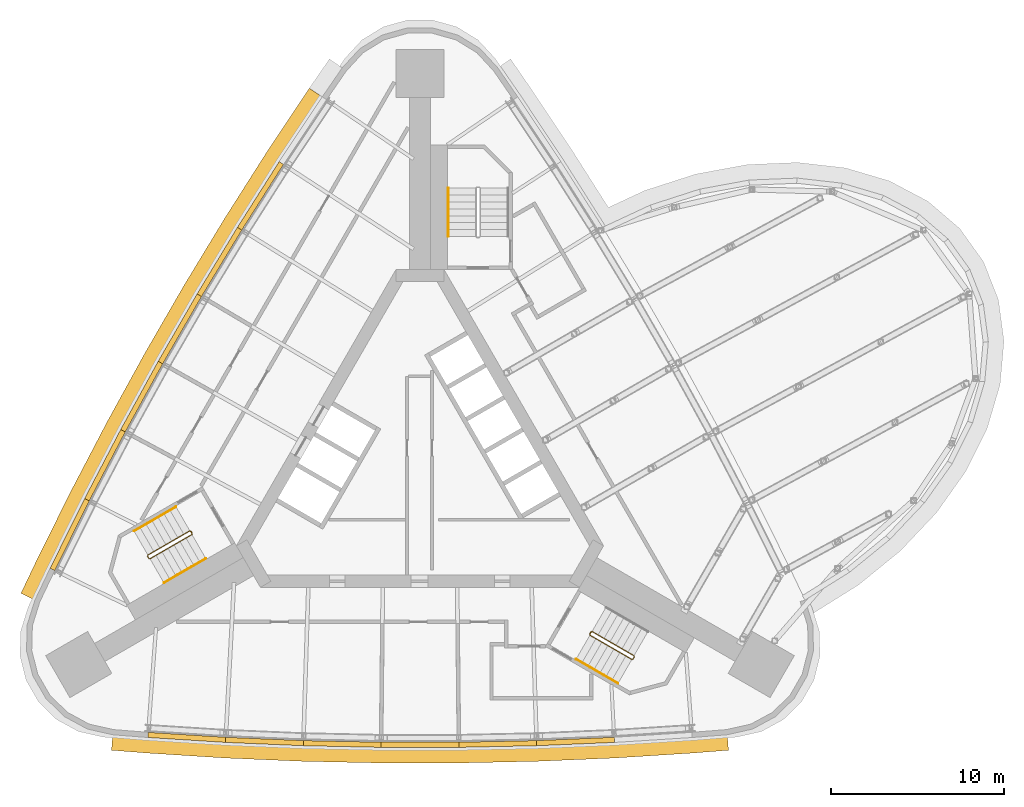
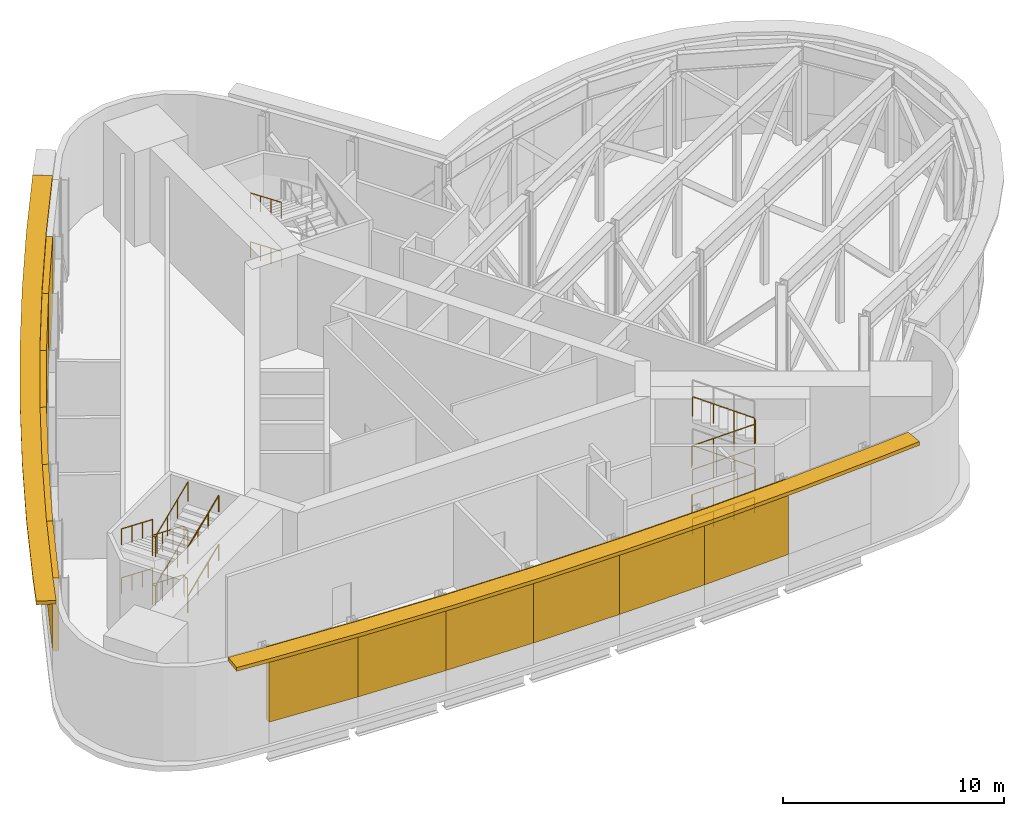
# One storey, part 10 of 11: 14 shading devices, 10 railings.
"""IFC4 building model written with IfcOpenShell, lengths in metres."""

from ifc_helpers import new_model, si_unit, direction, frame, origin, origin_2d, place, context, subcontext, project, spatial, polyline, circle, outline, extrude, material, type_object, element, save


model = new_model("IFC4")

# Units and contexts
model_context = context("Model", 3, precision=1e-05, world=origin(), true_north=direction((0.0, 1.0)))
body_context = subcontext(model_context, "Body", "Model", "MODEL_VIEW")
ifc_project = project(units=[si_unit("LENGTHUNIT", "METRE"), si_unit("AREAUNIT", "SQUARE_METRE"), si_unit("VOLUMEUNIT", "CUBIC_METRE"), si_unit("PLANEANGLEUNIT", "RADIAN"), si_unit("MASSUNIT", "GRAM", prefix="KILO")], contexts=[model_context])

# Site, building, storey
site_placement = place(None, origin())
site = spatial("IfcSite", under=ifc_project, at=site_placement, CompositionType="ELEMENT")
building_placement = place(site_placement, origin())
building = spatial("IfcBuilding", under=site, at=building_placement, Name="Noor Cloister Tower", CompositionType="ELEMENT")
storey_placement = place(building_placement, frame((0.0, 0.0, 168.89990234375)))
storey = spatial("IfcBuildingStorey", under=building, at=storey_placement, Name="L43", CompositionType="ELEMENT", Elevation=168.89990234375)

# Shading devices
ifc_material_1 = material(Name="Aluminium 6063-T6 anodised", Category="aluminium")
shading_device_type_1 = type_object("IfcShadingDeviceType", Name="LOUVRE plant air 40 percent free", PredefinedType="USERDEFINED", material=ifc_material_1)
shading_device_1_placement = place(storey_placement, frame((0.0, 0.0, 1.2001953125)))
element("IfcShadingDevice", 1, at=shading_device_1_placement, inside=storey, type_object=shading_device_type_1, Name="LOUVRE L43 1.2", ObjectType="LOUVRE", PredefinedType="USERDEFINED", context=body_context, shape_type="SweptSolid", body=[
    extrude(outline(polyline([(-8.145263671875, 17.68701171875), (-10.55810546875, 13.888671875), (-10.304931640625, 13.727783203125), (-7.891845703125, 17.526123046875), (-8.145263671875, 17.68701171875)])), origin(), (0.0, 0.0, 1.0), 4.0),
])
shading_device_2_placement = place(storey_placement, frame((0.0, 0.0, 1.2001953125)))
element("IfcShadingDevice", 2, at=shading_device_2_placement, inside=storey, type_object=shading_device_type_1, Name="LOUVRE L43 1.3", ObjectType="LOUVRE", PredefinedType="USERDEFINED", context=body_context, shape_type="SweptSolid", body=[
    extrude(outline(polyline([(-10.55810546875, 13.888671875), (-12.89013671875, 10.0400390625), (-12.633544921875, 9.884765625), (-10.301513671875, 13.733154296875), (-10.55810546875, 13.888671875)])), origin(), (0.0, 0.0, 1.0), 4.0),
])
shading_device_3_placement = place(storey_placement, frame((0.0, 0.0, 1.2001953125)))
element("IfcShadingDevice", 3, at=shading_device_3_placement, inside=storey, type_object=shading_device_type_1, Name="LOUVRE L43 1.4", ObjectType="LOUVRE", PredefinedType="USERDEFINED", context=body_context, shape_type="SweptSolid", body=[
    extrude(outline(polyline([(-12.89013671875, 10.0400390625), (-15.14013671875, 6.14306640625), (-14.88037109375, 5.9931640625), (-12.63037109375, 9.89013671875), (-12.89013671875, 10.0400390625)])), origin(), (0.0, 0.0, 1.0), 4.0),
])
shading_device_4_placement = place(storey_placement, frame((0.0, 0.0, 1.2001953125)))
element("IfcShadingDevice", 4, at=shading_device_4_placement, inside=storey, type_object=shading_device_type_1, Name="LOUVRE L43 1.5", ObjectType="LOUVRE", PredefinedType="USERDEFINED", context=body_context, shape_type="SweptSolid", body=[
    extrude(outline(polyline([(-15.14013671875, 6.14306640625), (-17.30712890625, 2.19921875), (-17.044189453125, 2.054931640625), (-14.877197265625, 5.99853515625), (-15.14013671875, 6.14306640625)])), origin(), (0.0, 0.0, 1.0), 4.0),
])
shading_device_5_placement = place(storey_placement, frame((0.0, 0.0, 1.2001953125)))
element("IfcShadingDevice", 5, at=shading_device_5_placement, inside=storey, type_object=shading_device_type_1, Name="LOUVRE L43 1.6", ObjectType="LOUVRE", PredefinedType="USERDEFINED", context=body_context, shape_type="SweptSolid", body=[
    extrude(outline(polyline([(-17.30712890625, 2.19921875), (-19.389892578125, -1.78955078125), (-19.1240234375, -1.928466796875), (-17.041015625, 2.060546875), (-17.30712890625, 2.19921875)])), origin(), (0.0, 0.0, 1.0), 4.0),
])
shading_device_6_placement = place(storey_placement, frame((0.0, 0.0, 1.2001953125)))
element("IfcShadingDevice", 6, at=shading_device_6_placement, inside=storey, type_object=shading_device_type_1, Name="LOUVRE L43 1.7", ObjectType="LOUVRE", PredefinedType="USERDEFINED", context=body_context, shape_type="SweptSolid", body=[
    extrude(outline(polyline([(-19.389892578125, -1.78955078125), (-21.387939453125, -5.821533203125), (-21.119140625, -5.954833984375), (-19.12109375, -1.9228515625), (-19.389892578125, -1.78955078125)])), origin(), (0.0, 0.0, 1.0), 4.0),
])
shading_device_7_placement = place(storey_placement, frame((0.0, 0.0, 1.2001953125)))
element("IfcShadingDevice", 7, at=shading_device_7_placement, inside=storey, type_object=shading_device_type_1, Name="LOUVRE L43 2.1", ObjectType="LOUVRE", PredefinedType="USERDEFINED", context=body_context, shape_type="SweptSolid", body=[
    extrude(outline(polyline([(-15.735595703125, -15.611572265625), (-11.24462890625, -15.8974609375), (-11.2255859375, -15.597900390625), (-15.716552734375, -15.312255859375), (-15.735595703125, -15.611572265625)])), origin(), (0.0, 0.0, 1.0), 4.0),
])
shading_device_8_placement = place(storey_placement, frame((0.0, 0.0, 1.2001953125)))
element("IfcShadingDevice", 8, at=shading_device_8_placement, inside=storey, type_object=shading_device_type_1, Name="LOUVRE L43 2.2", ObjectType="LOUVRE", PredefinedType="USERDEFINED", context=body_context, shape_type="SweptSolid", body=[
    extrude(outline(polyline([(-11.24462890625, -15.8974609375), (-6.748779296875, -16.087890625), (-6.736083984375, -15.788330078125), (-11.23193359375, -15.59765625), (-11.24462890625, -15.8974609375)])), origin(), (0.0, 0.0, 1.0), 4.0),
])
shading_device_9_placement = place(storey_placement, frame((0.0, 0.0, 1.2001953125)))
element("IfcShadingDevice", 9, at=shading_device_9_placement, inside=storey, type_object=shading_device_type_1, Name="LOUVRE L43 2.3", ObjectType="LOUVRE", PredefinedType="USERDEFINED", context=body_context, shape_type="SweptSolid", body=[
    extrude(outline(polyline([(-6.748779296875, -16.087890625), (-2.25, -16.183349609375), (-2.24365234375, -15.88330078125), (-6.742431640625, -15.7880859375), (-6.748779296875, -16.087890625)])), origin(), (0.0, 0.0, 1.0), 4.0),
])
shading_device_10_placement = place(storey_placement, frame((0.0, 0.0, 1.2001953125)))
element("IfcShadingDevice", 10, at=shading_device_10_placement, inside=storey, type_object=shading_device_type_1, Name="LOUVRE L43 2.4", ObjectType="LOUVRE", PredefinedType="USERDEFINED", context=body_context, shape_type="SweptSolid", body=[
    extrude(outline(polyline([(-2.25, -16.183349609375), (2.25, -16.183349609375), (2.25, -15.88330078125), (-2.25, -15.88330078125), (-2.25, -16.183349609375)])), origin(), (0.0, 0.0, 1.0), 4.0),
])
shading_device_11_placement = place(storey_placement, frame((0.0, 0.0, 1.2001953125)))
element("IfcShadingDevice", 11, at=shading_device_11_placement, inside=storey, type_object=shading_device_type_1, Name="LOUVRE L43 2.5", ObjectType="LOUVRE", PredefinedType="USERDEFINED", context=body_context, shape_type="SweptSolid", body=[
    extrude(outline(polyline([(2.25, -16.183349609375), (6.748779296875, -16.087890625), (6.742431640625, -15.7880859375), (2.24365234375, -15.88330078125), (2.25, -16.183349609375)])), origin(), (0.0, 0.0, 1.0), 4.0),
])
shading_device_12_placement = place(storey_placement, frame((0.0, 0.0, 1.2001953125)))
element("IfcShadingDevice", 12, at=shading_device_12_placement, inside=storey, type_object=shading_device_type_1, Name="LOUVRE L43 2.6", ObjectType="LOUVRE", PredefinedType="USERDEFINED", context=body_context, shape_type="SweptSolid", body=[
    extrude(outline(polyline([(6.748779296875, -16.087890625), (11.24462890625, -15.8974609375), (11.23193359375, -15.59765625), (6.736083984375, -15.788330078125), (6.748779296875, -16.087890625)])), origin(), (0.0, 0.0, 1.0), 4.0),
])
ifc_material_2 = material(Name="Limestone", Category="masonry")
shading_device_type_2 = type_object("IfcShadingDeviceType", Name="SUNSHADE limestone band 900", PredefinedType="USERDEFINED", material=ifc_material_2)
shading_device_13_placement = place(storey_placement, frame((0.0, 0.0, 5.2001953125)))
element("IfcShadingDevice", 13, at=shading_device_13_placement, inside=storey, type_object=shading_device_type_2, Name="SUNSHADE L43 1", ObjectType="SUNSHADE", PredefinedType="USERDEFINED", context=body_context, shape_type="SweptSolid", body=[
    extrude(outline(polyline([(-6.401611328125, 21.931884765625), (-8.899658203125, 18.177490234375), (-11.322998046875, 14.36328125), (-13.664794921875, 10.498291015625), (-15.92431640625, 6.5849609375), (-18.100341796875, 2.624267578125), (-20.192138671875, -1.38134765625), (-22.197265625, -5.42822265625), (-23.077392578125, -7.275146484375), (-22.264892578125, -7.662353515625), (-21.387939453125, -5.821533203125), (-19.389892578125, -1.78955078125), (-17.30712890625, 2.19921875), (-15.14013671875, 6.14306640625), (-12.89013671875, 10.0400390625), (-10.55810546875, 13.888671875), (-8.145263671875, 17.68701171875), (-5.65234375, 21.43310546875), (-6.401611328125, 21.931884765625)])), origin(), (0.0, 0.0, 1.0), 0.199951171875),
])
shading_device_14_placement = place(storey_placement, frame((0.0, 0.0, 5.2001953125)))
element("IfcShadingDevice", 14, at=shading_device_14_placement, inside=storey, type_object=shading_device_type_2, Name="SUNSHADE L43 2", ObjectType="SUNSHADE", PredefinedType="USERDEFINED", context=body_context, shape_type="SweptSolid", body=[
    extrude(outline(polyline([(-17.839111328125, -16.34814453125), (-15.799560546875, -16.50927734375), (-11.29248046875, -16.796142578125), (-6.77734375, -16.987548828125), (-2.259521484375, -17.083251953125), (2.259521484375, -17.083251953125), (6.77734375, -16.987548828125), (11.29248046875, -16.796142578125), (15.799560546875, -16.50927734375), (17.839111328125, -16.34814453125), (17.76806640625, -15.450927734375), (15.735595703125, -15.611572265625), (11.24462890625, -15.8974609375), (6.748779296875, -16.087890625), (2.25, -16.183349609375), (-2.25, -16.183349609375), (-6.748779296875, -16.087890625), (-11.24462890625, -15.8974609375), (-15.735595703125, -15.611572265625), (-17.76806640625, -15.450927734375), (-17.839111328125, -16.34814453125)])), origin(), (0.0, 0.0, 1.0), 0.199951171875),
])

# Railings
ifc_material_3 = material(Name="Stainless steel", Category="steel")
railing_type_1 = type_object("IfcRailingType", Name="Stair guard 1100", PredefinedType="GUARDRAIL", material=ifc_material_3)
railing_1_placement = place(storey_placement, frame((-13.241455078125, -3.677734375, 0.0)))
element("IfcRailing", 15, at=railing_1_placement, inside=storey, type_object=railing_type_1, Name="Stair guard ST2 L43", PredefinedType="GUARDRAIL", context=body_context, shape_type="SweptSolid", body=[
    extrude(circle(Radius=0.02392578125, at=origin_2d()), frame((0.0, 0.0, 1.076171875), z_axis=(0.499112439033, -0.866537231285, 0.0), x_axis=(0.866537231285, 0.499112439033, 0.0)), (0.0, 0.0, 1.0), 0.150146484375),
    extrude(circle(Radius=0.02392578125, at=origin_2d()), frame((0.074951171875, -0.130126953125, 1.076171875), z_axis=(-0.537677014239, 0.55599650365, 0.633854333651), x_axis=(-0.718850276695, -0.695164929852, 0.0)), (0.0, 0.0, 1.0), 0.2666015625),
    extrude(circle(Radius=0.02392578125, at=origin_2d()), frame((-0.068359375, 0.01806640625, 1.2451171875), z_axis=(-0.79793860554, -0.460670556199, 0.388685760532), x_axis=(0.49998411664, -0.866034573852, 0.0)), (0.0, 0.0, 1.0), 3.038818359375),
    extrude(circle(Radius=0.02392578125, at=origin_2d()), frame((-2.4931640625, -1.3818359375, 2.42626953125), z_axis=(-0.258736085224, -0.965948051503, 0.0), x_axis=(0.965948051503, -0.258736085224, 0.0)), (0.0, 0.0, 1.0), 0.07080078125),
    extrude(circle(Radius=0.02392578125, at=origin_2d()), frame((-2.511474609375, -1.4501953125, 2.42626953125), z_axis=(0.499816412211, -0.866131372301, 0.0), x_axis=(0.866131372301, 0.499816412211, 0.0)), (0.0, 0.0, 1.0), 0.14990234375),
    extrude(circle(Radius=0.02392578125, at=origin_2d()), frame((-2.4365234375, -1.580078125, 2.42626953125), z_axis=(0.373663631894, -0.100088472829, 0.922148462996), x_axis=(0.258736085224, 0.965948051503, 0.0)), (0.0, 0.0, 1.0), 0.182861328125),
    extrude(circle(Radius=0.02392578125, at=origin_2d()), frame((-2.3681640625, -1.598388671875, 2.5947265625), z_axis=(0.79788415668, 0.460719456158, 0.388739572511), x_axis=(-0.500049511043, 0.865996816683, 0.0)), (0.0, 0.0, 1.0), 3.0390625),
    extrude(circle(Radius=0.02392578125, at=origin_2d()), frame((0.056640625, -0.1982421875, 3.7763671875), z_axis=(-0.274721127897, 0.961523947641, 0.0), x_axis=(-0.961523947641, -0.274721127897, 0.0)), (0.0, 0.0, 1.0), 0.2060546875),
    extrude(circle(Radius=0.02392578125, at=origin_2d()), frame((0.0, 0.0, 3.7763671875), z_axis=(0.499112439033, -0.866537231285, 0.0), x_axis=(0.866537231285, 0.499112439033, 0.0)), (0.0, 0.0, 1.0), 0.150146484375),
    extrude(circle(Radius=0.02392578125, at=origin_2d()), frame((0.074951171875, -0.130126953125, 3.7763671875), z_axis=(-0.537989232676, 0.556319359854, 0.633305894001), x_axis=(-0.718850276695, -0.695164929852, 0.0)), (0.0, 0.0, 1.0), 0.266357421875),
    extrude(circle(Radius=0.02392578125, at=origin_2d()), frame((-0.068359375, 0.01806640625, 3.94482421875), z_axis=(-0.79793860554, -0.460670556199, 0.388685760532), x_axis=(0.49998411664, -0.866034573852, 0.0)), (0.0, 0.0, 1.0), 3.038818359375),
    extrude(circle(Radius=0.02392578125, at=origin_2d()), frame((-2.4931640625, -1.3818359375, 5.1259765625), z_axis=(-0.258736085224, -0.965948051503, 0.0), x_axis=(0.965948051503, -0.258736085224, 0.0)), (0.0, 0.0, 1.0), 0.07080078125),
    extrude(circle(Radius=0.02392578125, at=origin_2d()), frame((-2.511474609375, -1.4501953125, 5.1259765625), z_axis=(0.499816412211, -0.866131372301, 0.0), x_axis=(0.866131372301, 0.499816412211, 0.0)), (0.0, 0.0, 1.0), 0.14990234375),
    extrude(circle(Radius=0.02392578125, at=origin_2d()), frame((-2.4365234375, -1.580078125, 5.1259765625), z_axis=(0.373663631894, -0.100088472829, 0.922148462996), x_axis=(0.258736085224, 0.965948051503, 0.0)), (0.0, 0.0, 1.0), 0.182861328125),
    extrude(circle(Radius=0.02392578125, at=origin_2d()), frame((-2.3681640625, -1.598388671875, 5.294921875), z_axis=(0.79788415668, 0.460719456158, 0.388739572511), x_axis=(-0.500049511043, 0.865996816683, 0.0)), (0.0, 0.0, 1.0), 3.0390625),
    extrude(circle(Radius=0.02099609375, at=origin_2d()), origin(), (0.0, 0.0, 1.0), 1.052001953125),
    extrude(circle(Radius=0.02099609375, at=origin_2d()), frame((0.074951171875, -0.130126953125, 0.0)), (0.0, 0.0, 1.0), 1.052001953125),
    extrude(circle(Radius=0.02099609375, at=origin_2d()), frame((-0.068359375, 0.01806640625, 0.1689453125)), (0.0, 0.0, 1.0), 1.052001953125),
    extrude(circle(Radius=0.02099609375, at=origin_2d()), frame((-0.876708984375, -0.448486328125, 0.562744140625)), (0.0, 0.0, 1.0), 1.052001953125),
    extrude(circle(Radius=0.02099609375, at=origin_2d()), frame((-1.684814453125, -0.915283203125, 0.956298828125)), (0.0, 0.0, 1.0), 1.052001953125),
    extrude(circle(Radius=0.02099609375, at=origin_2d()), frame((-2.4931640625, -1.3818359375, 1.35009765625)), (0.0, 0.0, 1.0), 1.052001953125),
    extrude(circle(Radius=0.02099609375, at=origin_2d()), frame((-2.511474609375, -1.4501953125, 1.35009765625)), (0.0, 0.0, 1.0), 1.052001953125),
    extrude(circle(Radius=0.02099609375, at=origin_2d()), frame((-2.4365234375, -1.580078125, 1.35009765625)), (0.0, 0.0, 1.0), 1.052001953125),
    extrude(circle(Radius=0.02099609375, at=origin_2d()), frame((-2.3681640625, -1.598388671875, 1.518798828125)), (0.0, 0.0, 1.0), 1.052001953125),
    extrude(circle(Radius=0.02099609375, at=origin_2d()), frame((-1.559814453125, -1.131591796875, 1.91259765625)), (0.0, 0.0, 1.0), 1.052001953125),
    extrude(circle(Radius=0.02099609375, at=origin_2d()), frame((-0.751708984375, -0.6650390625, 2.306396484375)), (0.0, 0.0, 1.0), 1.052001953125),
    extrude(circle(Radius=0.02099609375, at=origin_2d()), frame((0.056640625, -0.1982421875, 2.7001953125)), (0.0, 0.0, 1.0), 1.052001953125),
    extrude(circle(Radius=0.02099609375, at=origin_2d()), frame((0.0, 0.0, 2.7001953125)), (0.0, 0.0, 1.0), 1.052001953125),
    extrude(circle(Radius=0.02099609375, at=origin_2d()), frame((0.074951171875, -0.130126953125, 2.7001953125)), (0.0, 0.0, 1.0), 1.052001953125),
    extrude(circle(Radius=0.02099609375, at=origin_2d()), frame((-0.068359375, 0.01806640625, 2.868896484375)), (0.0, 0.0, 1.0), 1.052001953125),
    extrude(circle(Radius=0.02099609375, at=origin_2d()), frame((-0.876708984375, -0.448486328125, 3.2626953125)), (0.0, 0.0, 1.0), 1.052001953125),
    extrude(circle(Radius=0.02099609375, at=origin_2d()), frame((-1.684814453125, -0.915283203125, 3.65625)), (0.0, 0.0, 1.0), 1.052001953125),
    extrude(circle(Radius=0.02099609375, at=origin_2d()), frame((-2.4931640625, -1.3818359375, 4.050048828125)), (0.0, 0.0, 1.0), 1.052001953125),
    extrude(circle(Radius=0.02099609375, at=origin_2d()), frame((-2.511474609375, -1.4501953125, 4.050048828125)), (0.0, 0.0, 1.0), 1.052001953125),
    extrude(circle(Radius=0.02099609375, at=origin_2d()), frame((-2.4365234375, -1.580078125, 4.050048828125)), (0.0, 0.0, 1.0), 1.052001953125),
    extrude(circle(Radius=0.02099609375, at=origin_2d()), frame((-2.3681640625, -1.598388671875, 4.21875)), (0.0, 0.0, 1.0), 1.052001953125),
    extrude(circle(Radius=0.02099609375, at=origin_2d()), frame((-1.559814453125, -1.131591796875, 4.612548828125)), (0.0, 0.0, 1.0), 1.052001953125),
    extrude(circle(Radius=0.02099609375, at=origin_2d()), frame((-0.751708984375, -0.6650390625, 5.00634765625)), (0.0, 0.0, 1.0), 1.052001953125),
    extrude(circle(Radius=0.02099609375, at=origin_2d()), frame((0.056640625, -0.1982421875, 5.400146484375)), (0.0, 0.0, 1.0), 1.052001953125),
])
railing_2_placement = place(storey_placement, frame((9.805908203125, -9.628662109375, 0.0)))
element("IfcRailing", 16, at=railing_2_placement, inside=storey, type_object=railing_type_1, Name="Stair guard ST3 L43", PredefinedType="GUARDRAIL", context=body_context, shape_type="SweptSolid", body=[
    extrude(circle(Radius=0.02392578125, at=origin_2d()), frame((0.0, 0.0, 1.076171875), z_axis=(0.499112439033, 0.866537231285, 0.0), x_axis=(-0.866537231285, 0.499112439033, 0.0)), (0.0, 0.0, 1.0), 0.150146484375),
    extrude(circle(Radius=0.02392578125, at=origin_2d()), frame((0.074951171875, 0.130126953125, 1.076171875), z_axis=(-0.212492706348, -0.743724472217, 0.633814451692), x_axis=(0.961523947641, -0.274721127897, 0.0)), (0.0, 0.0, 1.0), 0.2666015625),
    extrude(circle(Radius=0.02392578125, at=origin_2d()), frame((0.018310546875, -0.068115234375, 1.2451171875), z_axis=(0.797909072615, -0.460733843279, 0.388671374679), x_axis=(0.500049511043, 0.865996816683, 0.0)), (0.0, 0.0, 1.0), 3.0390625),
    extrude(circle(Radius=0.02392578125, at=origin_2d()), frame((2.443115234375, -1.46826171875, 2.42626953125), z_axis=(0.965948051503, 0.258736085224, 0.0), x_axis=(-0.258736085224, 0.965948051503, 0.0)), (0.0, 0.0, 1.0), 0.07080078125),
    extrude(circle(Radius=0.02392578125, at=origin_2d()), frame((2.511474609375, -1.449951171875, 2.42626953125), z_axis=(0.499816412211, 0.866131372301, 0.0), x_axis=(-0.866131372301, 0.499816412211, 0.0)), (0.0, 0.0, 1.0), 0.14990234375),
    extrude(circle(Radius=0.02392578125, at=origin_2d()), frame((2.58642578125, -1.320068359375, 2.42626953125), z_axis=(-0.100088472829, 0.373663631894, 0.922148462996), x_axis=(-0.965948051503, -0.258736085224, 0.0)), (0.0, 0.0, 1.0), 0.182861328125),
    extrude(circle(Radius=0.02392578125, at=origin_2d()), frame((2.568115234375, -1.251708984375, 2.5947265625), z_axis=(-0.797913686838, 0.460656169989, 0.388753959989), x_axis=(-0.49998411664, -0.866034573852, 0.0)), (0.0, 0.0, 1.0), 3.038818359375),
    extrude(circle(Radius=0.02392578125, at=origin_2d()), frame((0.143310546875, 0.148193359375, 3.7763671875), z_axis=(-0.695164929852, -0.718850276695, 0.0), x_axis=(0.718850276695, -0.695164929852, 0.0)), (0.0, 0.0, 1.0), 0.2060546875),
    extrude(circle(Radius=0.02392578125, at=origin_2d()), frame((0.0, 0.0, 3.7763671875), z_axis=(0.499112439033, 0.866537231285, 0.0), x_axis=(-0.866537231285, 0.499112439033, 0.0)), (0.0, 0.0, 1.0), 0.150146484375),
    extrude(circle(Radius=0.02392578125, at=origin_2d()), frame((0.074951171875, 0.130126953125, 3.7763671875), z_axis=(-0.212616081131, -0.744156283958, 0.633266000264), x_axis=(0.961523947641, -0.274721127897, 0.0)), (0.0, 0.0, 1.0), 0.266357421875),
    extrude(circle(Radius=0.02392578125, at=origin_2d()), frame((0.018310546875, -0.068115234375, 3.94482421875), z_axis=(0.797909072615, -0.460733843279, 0.388671374679), x_axis=(0.500049511043, 0.865996816683, 0.0)), (0.0, 0.0, 1.0), 3.0390625),
    extrude(circle(Radius=0.02392578125, at=origin_2d()), frame((2.443115234375, -1.46826171875, 5.1259765625), z_axis=(0.965948051503, 0.258736085224, 0.0), x_axis=(-0.258736085224, 0.965948051503, 0.0)), (0.0, 0.0, 1.0), 0.07080078125),
    extrude(circle(Radius=0.02392578125, at=origin_2d()), frame((2.511474609375, -1.449951171875, 5.1259765625), z_axis=(0.499816412211, 0.866131372301, 0.0), x_axis=(-0.866131372301, 0.499816412211, 0.0)), (0.0, 0.0, 1.0), 0.14990234375),
    extrude(circle(Radius=0.02392578125, at=origin_2d()), frame((2.58642578125, -1.320068359375, 5.1259765625), z_axis=(-0.100088472829, 0.373663631894, 0.922148462996), x_axis=(-0.965948051503, -0.258736085224, 0.0)), (0.0, 0.0, 1.0), 0.182861328125),
    extrude(circle(Radius=0.02392578125, at=origin_2d()), frame((2.568115234375, -1.251708984375, 5.294921875), z_axis=(-0.797913686838, 0.460656169989, 0.388753959989), x_axis=(-0.49998411664, -0.866034573852, 0.0)), (0.0, 0.0, 1.0), 3.038818359375),
    extrude(circle(Radius=0.02099609375, at=origin_2d()), origin(), (0.0, 0.0, 1.0), 1.052001953125),
    extrude(circle(Radius=0.02099609375, at=origin_2d()), frame((0.074951171875, 0.130126953125, 0.0)), (0.0, 0.0, 1.0), 1.052001953125),
    extrude(circle(Radius=0.02099609375, at=origin_2d()), frame((0.018310546875, -0.068115234375, 0.1689453125)), (0.0, 0.0, 1.0), 1.052001953125),
    extrude(circle(Radius=0.02099609375, at=origin_2d()), frame((0.82666015625, -0.534912109375, 0.562744140625)), (0.0, 0.0, 1.0), 1.052001953125),
    extrude(circle(Radius=0.02099609375, at=origin_2d()), frame((1.634765625, -1.00146484375, 0.956298828125)), (0.0, 0.0, 1.0), 1.052001953125),
    extrude(circle(Radius=0.02099609375, at=origin_2d()), frame((2.443115234375, -1.46826171875, 1.35009765625)), (0.0, 0.0, 1.0), 1.052001953125),
    extrude(circle(Radius=0.02099609375, at=origin_2d()), frame((2.511474609375, -1.449951171875, 1.35009765625)), (0.0, 0.0, 1.0), 1.052001953125),
    extrude(circle(Radius=0.02099609375, at=origin_2d()), frame((2.58642578125, -1.320068359375, 1.35009765625)), (0.0, 0.0, 1.0), 1.052001953125),
    extrude(circle(Radius=0.02099609375, at=origin_2d()), frame((2.568115234375, -1.251708984375, 1.518798828125)), (0.0, 0.0, 1.0), 1.052001953125),
    extrude(circle(Radius=0.02099609375, at=origin_2d()), frame((1.759765625, -0.78515625, 1.91259765625)), (0.0, 0.0, 1.0), 1.052001953125),
    extrude(circle(Radius=0.02099609375, at=origin_2d()), frame((0.95166015625, -0.318359375, 2.306396484375)), (0.0, 0.0, 1.0), 1.052001953125),
    extrude(circle(Radius=0.02099609375, at=origin_2d()), frame((0.143310546875, 0.148193359375, 2.7001953125)), (0.0, 0.0, 1.0), 1.052001953125),
    extrude(circle(Radius=0.02099609375, at=origin_2d()), frame((0.0, 0.0, 2.7001953125)), (0.0, 0.0, 1.0), 1.052001953125),
    extrude(circle(Radius=0.02099609375, at=origin_2d()), frame((0.074951171875, 0.130126953125, 2.7001953125)), (0.0, 0.0, 1.0), 1.052001953125),
    extrude(circle(Radius=0.02099609375, at=origin_2d()), frame((0.018310546875, -0.068115234375, 2.868896484375)), (0.0, 0.0, 1.0), 1.052001953125),
    extrude(circle(Radius=0.02099609375, at=origin_2d()), frame((0.82666015625, -0.534912109375, 3.2626953125)), (0.0, 0.0, 1.0), 1.052001953125),
    extrude(circle(Radius=0.02099609375, at=origin_2d()), frame((1.634765625, -1.00146484375, 3.65625)), (0.0, 0.0, 1.0), 1.052001953125),
    extrude(circle(Radius=0.02099609375, at=origin_2d()), frame((2.443115234375, -1.46826171875, 4.050048828125)), (0.0, 0.0, 1.0), 1.052001953125),
    extrude(circle(Radius=0.02099609375, at=origin_2d()), frame((2.511474609375, -1.449951171875, 4.050048828125)), (0.0, 0.0, 1.0), 1.052001953125),
    extrude(circle(Radius=0.02099609375, at=origin_2d()), frame((2.58642578125, -1.320068359375, 4.050048828125)), (0.0, 0.0, 1.0), 1.052001953125),
    extrude(circle(Radius=0.02099609375, at=origin_2d()), frame((2.568115234375, -1.251708984375, 4.21875)), (0.0, 0.0, 1.0), 1.052001953125),
    extrude(circle(Radius=0.02099609375, at=origin_2d()), frame((1.759765625, -0.78515625, 4.612548828125)), (0.0, 0.0, 1.0), 1.052001953125),
    extrude(circle(Radius=0.02099609375, at=origin_2d()), frame((0.95166015625, -0.318359375, 5.00634765625)), (0.0, 0.0, 1.0), 1.052001953125),
    extrude(circle(Radius=0.02099609375, at=origin_2d()), frame((0.143310546875, 0.148193359375, 5.400146484375)), (0.0, 0.0, 1.0), 1.052001953125),
])
ifc_material_4 = material(Name="Stainless steel", Category="steel")
railing_type_2 = type_object("IfcRailingType", Name="Stair handrail 900", PredefinedType="HANDRAIL", material=ifc_material_4)
for number, where, name in (
    (17, (1.6357421875, 16.156494140625, 1.518798828125), "Stair handrail ST1 L43 2"),
    (18, (1.6357421875, 16.156494140625, 4.21875), "Stair handrail ST1 L43 4"),
):
    element("IfcRailing", number, at=place(storey_placement, frame(where)), inside=storey, type_object=railing_type_2, Name=name, PredefinedType="HANDRAIL", context=body_context, shape_type="SweptSolid", body=[
        extrude(circle(Radius=0.02392578125, at=origin_2d()), frame((0.0, 0.0, 0.8759765625), z_axis=(0.0, -0.921349325574, 0.388735668886), x_axis=(1.0, 0.0, 0.0)), (0.0, 0.0, 1.0), 3.0390625),
        extrude(circle(Radius=0.02099609375, at=origin_2d()), origin(), (0.0, 0.0, 1.0), 0.851806640625),
        extrude(circle(Radius=0.02099609375, at=origin_2d()), frame((0.0, -0.933349609375, 0.393798828125)), (0.0, 0.0, 1.0), 0.851806640625),
        extrude(circle(Radius=0.02099609375, at=origin_2d()), frame((0.0, -1.86669921875, 0.78759765625)), (0.0, 0.0, 1.0), 0.851806640625),
        extrude(circle(Radius=0.02099609375, at=origin_2d()), frame((0.0, -2.800048828125, 1.181396484375)), (0.0, 0.0, 1.0), 0.851806640625),
    ])
railing_3_placement = place(storey_placement, frame((-14.10986328125, -2.27392578125, 0.1689453125)))
element("IfcRailing", 19, at=railing_3_placement, inside=storey, type_object=railing_type_2, Name="Stair handrail ST2 L43 1", PredefinedType="HANDRAIL", context=body_context, shape_type="SweptSolid", body=[
    extrude(circle(Radius=0.02392578125, at=origin_2d()), frame((0.0, 0.0, 0.8759765625), z_axis=(-0.79793860554, -0.460670556199, 0.388685760532), x_axis=(0.49998411664, -0.866034573852, 0.0)), (0.0, 0.0, 1.0), 3.038818359375),
    extrude(circle(Radius=0.02099609375, at=origin_2d()), origin(), (0.0, 0.0, 1.0), 0.851806640625),
    extrude(circle(Radius=0.02099609375, at=origin_2d()), frame((-0.808349609375, -0.466552734375, 0.393798828125)), (0.0, 0.0, 1.0), 0.851806640625),
    extrude(circle(Radius=0.02099609375, at=origin_2d()), frame((-1.616455078125, -0.933349609375, 0.787353515625)), (0.0, 0.0, 1.0), 0.851806640625),
    extrude(circle(Radius=0.02099609375, at=origin_2d()), frame((-2.4248046875, -1.39990234375, 1.18115234375)), (0.0, 0.0, 1.0), 0.851806640625),
])
railing_4_placement = place(storey_placement, frame((-14.8095703125, -6.66162109375, 1.518798828125)))
element("IfcRailing", 20, at=railing_4_placement, inside=storey, type_object=railing_type_2, Name="Stair handrail ST2 L43 2", PredefinedType="HANDRAIL", context=body_context, shape_type="SweptSolid", body=[
    extrude(circle(Radius=0.02392578125, at=origin_2d()), frame((0.0, 0.0, 0.8759765625), z_axis=(0.797913686838, 0.460656169989, 0.388753959989), x_axis=(-0.49998411664, 0.866034573852, 0.0)), (0.0, 0.0, 1.0), 3.038818359375),
    extrude(circle(Radius=0.02099609375, at=origin_2d()), origin(), (0.0, 0.0, 1.0), 0.851806640625),
    extrude(circle(Radius=0.02099609375, at=origin_2d()), frame((0.808349609375, 0.466552734375, 0.393798828125)), (0.0, 0.0, 1.0), 0.851806640625),
    extrude(circle(Radius=0.02099609375, at=origin_2d()), frame((1.616455078125, 0.933349609375, 0.78759765625)), (0.0, 0.0, 1.0), 0.851806640625),
    extrude(circle(Radius=0.02099609375, at=origin_2d()), frame((2.4248046875, 1.39990234375, 1.181396484375)), (0.0, 0.0, 1.0), 0.851806640625),
])
railing_5_placement = place(storey_placement, frame((-14.10986328125, -2.27392578125, 2.868896484375)))
element("IfcRailing", 21, at=railing_5_placement, inside=storey, type_object=railing_type_2, Name="Stair handrail ST2 L43 3", PredefinedType="HANDRAIL", context=body_context, shape_type="SweptSolid", body=[
    extrude(circle(Radius=0.02392578125, at=origin_2d()), frame((0.0, 0.0, 0.8759765625), z_axis=(-0.79793860554, -0.460670556199, 0.388685760532), x_axis=(0.49998411664, -0.866034573852, 0.0)), (0.0, 0.0, 1.0), 3.038818359375),
    extrude(circle(Radius=0.02099609375, at=origin_2d()), origin(), (0.0, 0.0, 1.0), 0.851806640625),
    extrude(circle(Radius=0.02099609375, at=origin_2d()), frame((-0.808349609375, -0.466552734375, 0.393798828125)), (0.0, 0.0, 1.0), 0.851806640625),
    extrude(circle(Radius=0.02099609375, at=origin_2d()), frame((-1.616455078125, -0.933349609375, 0.787353515625)), (0.0, 0.0, 1.0), 0.851806640625),
    extrude(circle(Radius=0.02099609375, at=origin_2d()), frame((-2.4248046875, -1.39990234375, 1.18115234375)), (0.0, 0.0, 1.0), 0.851806640625),
])
railing_6_placement = place(storey_placement, frame((-14.8095703125, -6.66162109375, 4.21875)))
element("IfcRailing", 22, at=railing_6_placement, inside=storey, type_object=railing_type_2, Name="Stair handrail ST2 L43 4", PredefinedType="HANDRAIL", context=body_context, shape_type="SweptSolid", body=[
    extrude(circle(Radius=0.02392578125, at=origin_2d()), frame((0.0, 0.0, 0.8759765625), z_axis=(0.797913686838, 0.460656169989, 0.388753959989), x_axis=(-0.49998411664, 0.866034573852, 0.0)), (0.0, 0.0, 1.0), 3.038818359375),
    extrude(circle(Radius=0.02099609375, at=origin_2d()), origin(), (0.0, 0.0, 1.0), 0.851806640625),
    extrude(circle(Radius=0.02099609375, at=origin_2d()), frame((0.808349609375, 0.466552734375, 0.393798828125)), (0.0, 0.0, 1.0), 0.851806640625),
    extrude(circle(Radius=0.02099609375, at=origin_2d()), frame((1.616455078125, 0.933349609375, 0.78759765625)), (0.0, 0.0, 1.0), 0.851806640625),
    extrude(circle(Radius=0.02099609375, at=origin_2d()), frame((2.4248046875, 1.39990234375, 1.181396484375)), (0.0, 0.0, 1.0), 0.851806640625),
])
for number, where, name in (
    (23, (9.024169921875, -11.08251953125, 0.1689453125), "Stair handrail ST3 L43 1"),
    (24, (9.024169921875, -11.08251953125, 2.868896484375), "Stair handrail ST3 L43 3"),
):
    element("IfcRailing", number, at=place(storey_placement, frame(where)), inside=storey, type_object=railing_type_2, Name=name, PredefinedType="HANDRAIL", context=body_context, shape_type="SweptSolid", body=[
        extrude(circle(Radius=0.02392578125, at=origin_2d()), frame((0.0, 0.0, 0.8759765625), z_axis=(0.79793860554, -0.460670556199, 0.388685760532), x_axis=(0.49998411664, 0.866034573852, 0.0)), (0.0, 0.0, 1.0), 3.038818359375),
        extrude(circle(Radius=0.02099609375, at=origin_2d()), origin(), (0.0, 0.0, 1.0), 0.851806640625),
        extrude(circle(Radius=0.02099609375, at=origin_2d()), frame((0.808349609375, -0.466552734375, 0.393798828125)), (0.0, 0.0, 1.0), 0.851806640625),
        extrude(circle(Radius=0.02099609375, at=origin_2d()), frame((1.616455078125, -0.933349609375, 0.787353515625)), (0.0, 0.0, 1.0), 0.851806640625),
        extrude(circle(Radius=0.02099609375, at=origin_2d()), frame((2.4248046875, -1.39990234375, 1.18115234375)), (0.0, 0.0, 1.0), 0.851806640625),
    ])

save(model, "model.ifc")
